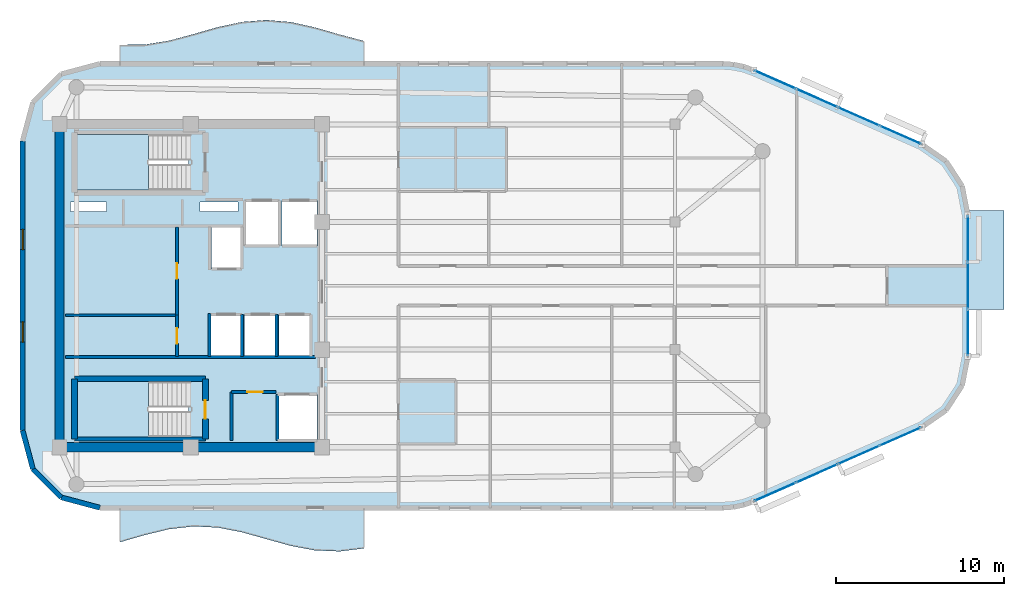
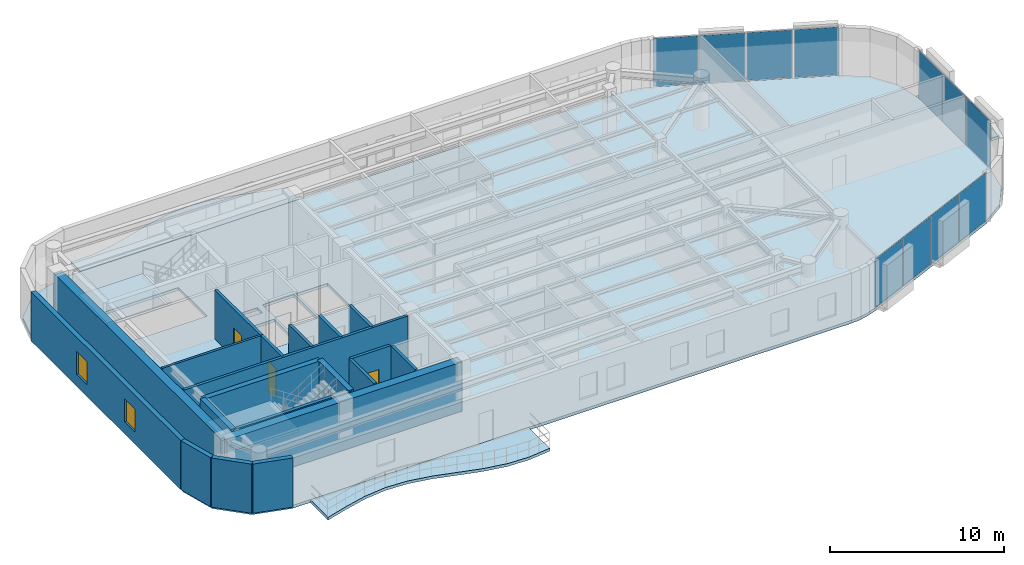
# One storey, part 7 of 14: 20 walls, 11 plates, 6 slabs, 4 doors, 2 windows, 6 openings, 5 elements without a shape of their own.
"""IFC4 building model written with IfcOpenShell, lengths in metres."""

from ifc_helpers import new_model, si_unit, direction, frame, frame_2d, origin, origin_2d, place, context, subcontext, project, spatial, polyline, rectangle, outline, extrude, material, layer, layer_set, type_object, element, fill, aggregate, save


model = new_model("IFC4")

# Units and contexts
model_context = context("Model", 3, precision=1e-05, world=origin(), true_north=direction((0.0, 1.0)))
body_context = subcontext(model_context, "Body", "Model", "MODEL_VIEW")
ifc_project = project(units=[si_unit("LENGTHUNIT", "METRE"), si_unit("AREAUNIT", "SQUARE_METRE"), si_unit("VOLUMEUNIT", "CUBIC_METRE"), si_unit("PLANEANGLEUNIT", "RADIAN"), si_unit("MASSUNIT", "GRAM", prefix="KILO")], contexts=[model_context])

# Site, building, storey
site_placement = place(None, origin())
site = spatial("IfcSite", under=ifc_project, at=site_placement, CompositionType="ELEMENT")
building_placement = place(site_placement, origin())
building = spatial("IfcBuilding", under=site, at=building_placement, Name="An Khanh Terracotta Commons", CompositionType="ELEMENT")
storey_placement = place(building_placement, frame((0.0, 0.0, 280.699951171875)))
storey = spatial("IfcBuildingStorey", under=building, at=storey_placement, Name="L73", CompositionType="ELEMENT", Elevation=280.699951171875)

# Curtain wall, plates
ifc_material_1 = material(Name="Anodised Aluminium 6063-T6", Category="aluminium")
ifc_layer_1 = layer(ifc_material_1, 0.2099609375, Name="Anodised Aluminium 6063-T6")
ifc_layer_set_1 = layer_set([ifc_layer_1], Name="Anodised Aluminium 6063-T6")
curtain_wall_type = type_object("IfcCurtainWallType", Name="CW-SYS-03", PredefinedType="USERDEFINED", material=ifc_layer_set_1)
curtain_wall_1_placement = place(storey_placement, origin())
curtain_wall_1 = element("IfcCurtainWall", 1, at=curtain_wall_1_placement, inside=storey, type_object=curtain_wall_type, Name="L73 CW-03 Unitised Curtain Wall CW-L73-08", ObjectType="UNITISED CURTAIN WALL", PredefinedType="USERDEFINED")
ifc_material_2 = material(Name="Acoustic Laminated Low-E Glazing", Category="glass")
ifc_layer_2 = layer(ifc_material_2, 0.035888671875, Name="Acoustic Laminated Low-E Glazing")
ifc_layer_set_2 = layer_set([ifc_layer_2], Name="Acoustic Laminated Low-E Glazing")
plate_type = type_object("IfcPlateType", Name="CWP-IGU-36", PredefinedType="CURTAIN_PANEL", material=ifc_layer_set_2)
plate_1_placement = place(storey_placement, frame((64.149169921875, 11.748046875, 0.050048828125), z_axis=(0.0, 0.0, 1.0), x_axis=(0.914901853201, 0.403676354285, 0.0)))
plate_1 = element("IfcPlate", 2, at=plate_1_placement, type_object=plate_type, Name="CW-03 panel 1.1", PredefinedType="CURTAIN_PANEL", context=body_context, shape_type="SweptSolid", body=[
    extrude(rectangle(XDim=2.619384765625, YDim=0.035888671875, at=origin_2d()), origin(), (0.0, 0.0, 1.0), 3.35009765625),
])
plate_2_placement = place(storey_placement, frame((66.625732421875, 12.840576171875, 0.050048828125), z_axis=(0.0, 0.0, 1.0), x_axis=(0.914901853201, 0.403676354285, 0.0)))
plate_2 = element("IfcPlate", 3, at=plate_2_placement, type_object=plate_type, Name="CW-03 panel 2.1", PredefinedType="CURTAIN_PANEL", context=body_context, shape_type="SweptSolid", body=[
    extrude(rectangle(XDim=2.654296875, YDim=0.035888671875, at=origin_2d()), origin(), (0.0, 0.0, 1.0), 3.35009765625),
])
plate_3_placement = place(storey_placement, frame((69.1181640625, 13.9404296875, 0.050048828125), z_axis=(0.0, 0.0, 1.0), x_axis=(0.914901853201, 0.403676354285, 0.0)))
plate_3 = element("IfcPlate", 4, at=plate_3_placement, type_object=plate_type, Name="CW-03 panel 3.1", PredefinedType="CURTAIN_PANEL", context=body_context, shape_type="SweptSolid", body=[
    extrude(rectangle(XDim=2.654296875, YDim=0.035888671875, at=origin_2d()), origin(), (0.0, 0.0, 1.0), 3.35009765625),
])
plate_4_placement = place(storey_placement, frame((71.5947265625, 15.032958984375, 0.050048828125), z_axis=(0.0, 0.0, 1.0), x_axis=(0.914901853201, 0.403676354285, 0.0)))
plate_4 = element("IfcPlate", 5, at=plate_4_placement, type_object=plate_type, Name="CW-03 panel 4.1", PredefinedType="CURTAIN_PANEL", context=body_context, shape_type="SweptSolid", body=[
    extrude(rectangle(XDim=2.619384765625, YDim=0.035888671875, at=origin_2d()), origin(), (0.0, 0.0, 1.0), 3.35009765625),
])
aggregate(curtain_wall_1, [plate_1, plate_2, plate_3, plate_4])

curtain_wall_2_placement = place(storey_placement, origin())
curtain_wall_2 = element("IfcCurtainWall", 6, at=curtain_wall_2_placement, inside=storey, type_object=curtain_wall_type, Name="L73 CW-03 Unitised Curtain Wall CW-L73-12", ObjectType="UNITISED CURTAIN WALL", PredefinedType="USERDEFINED")
plate_5_placement = place(storey_placement, frame((75.60009765625, 21.216064453125, 0.050048828125), z_axis=(0.0, 0.0, 1.0), x_axis=(0.0, 1.0, 0.0)))
plate_5 = element("IfcPlate", 7, at=plate_5_placement, type_object=plate_type, Name="CW-03 panel 1.1", PredefinedType="CURTAIN_PANEL", context=body_context, shape_type="SweptSolid", body=[
    extrude(rectangle(XDim=2.6962890625, YDim=0.035888671875, at=origin_2d()), origin(), (0.0, 0.0, 1.0), 3.35009765625),
])
plate_6_placement = place(storey_placement, frame((75.60009765625, 24.0, 0.050048828125), z_axis=(0.0, 0.0, 1.0), x_axis=(0.0, 1.0, 0.0)))
plate_6 = element("IfcPlate", 8, at=plate_6_placement, type_object=plate_type, Name="CW-03 panel 2.1", PredefinedType="CURTAIN_PANEL", context=body_context, shape_type="SweptSolid", body=[
    extrude(rectangle(XDim=2.7314453125, YDim=0.035888671875, at=origin_2d()), origin(), (0.0, 0.0, 1.0), 3.35009765625),
])
plate_7_placement = place(storey_placement, frame((75.60009765625, 26.783935546875, 0.050048828125), z_axis=(0.0, 0.0, 1.0), x_axis=(0.0, 1.0, 0.0)))
plate_7 = element("IfcPlate", 9, at=plate_7_placement, type_object=plate_type, Name="CW-03 panel 3.1", PredefinedType="CURTAIN_PANEL", context=body_context, shape_type="SweptSolid", body=[
    extrude(rectangle(XDim=2.6962890625, YDim=0.035888671875, at=origin_2d()), origin(), (0.0, 0.0, 1.0), 3.35009765625),
])
aggregate(curtain_wall_2, [plate_5, plate_6, plate_7])

curtain_wall_3_placement = place(storey_placement, origin())
curtain_wall_3 = element("IfcCurtainWall", 10, at=curtain_wall_3_placement, inside=storey, type_object=curtain_wall_type, Name="L73 CW-03 Unitised Curtain Wall CW-L73-16", ObjectType="UNITISED CURTAIN WALL", PredefinedType="USERDEFINED")
plate_8_placement = place(storey_placement, frame((71.5947265625, 32.967041015625, 0.050048828125), z_axis=(0.0, 0.0, 1.0), x_axis=(-0.914901853201, 0.403676354285, 0.0)))
plate_8 = element("IfcPlate", 11, at=plate_8_placement, type_object=plate_type, Name="CW-03 panel 1.1", PredefinedType="CURTAIN_PANEL", context=body_context, shape_type="SweptSolid", body=[
    extrude(rectangle(XDim=2.619384765625, YDim=0.035888671875, at=origin_2d()), origin(), (0.0, 0.0, 1.0), 3.35009765625),
])
plate_9_placement = place(storey_placement, frame((69.1181640625, 34.0595703125, 0.050048828125), z_axis=(0.0, 0.0, 1.0), x_axis=(-0.914901853201, 0.403676354285, 0.0)))
plate_9 = element("IfcPlate", 12, at=plate_9_placement, type_object=plate_type, Name="CW-03 panel 2.1", PredefinedType="CURTAIN_PANEL", context=body_context, shape_type="SweptSolid", body=[
    extrude(rectangle(XDim=2.654296875, YDim=0.035888671875, at=origin_2d()), origin(), (0.0, 0.0, 1.0), 3.35009765625),
])
plate_10_placement = place(storey_placement, frame((66.625732421875, 35.159423828125, 0.050048828125), z_axis=(0.0, 0.0, 1.0), x_axis=(-0.914901853201, 0.403676354285, 0.0)))
plate_10 = element("IfcPlate", 13, at=plate_10_placement, type_object=plate_type, Name="CW-03 panel 3.1", PredefinedType="CURTAIN_PANEL", context=body_context, shape_type="SweptSolid", body=[
    extrude(rectangle(XDim=2.654296875, YDim=0.035888671875, at=origin_2d()), origin(), (0.0, 0.0, 1.0), 3.35009765625),
])
plate_11_placement = place(storey_placement, frame((64.149169921875, 36.251953125, 0.050048828125), z_axis=(0.0, 0.0, 1.0), x_axis=(-0.914901853201, 0.403676354285, 0.0)))
plate_11 = element("IfcPlate", 14, at=plate_11_placement, type_object=plate_type, Name="CW-03 panel 4.1", PredefinedType="CURTAIN_PANEL", context=body_context, shape_type="SweptSolid", body=[
    extrude(rectangle(XDim=2.619384765625, YDim=0.035888671875, at=origin_2d()), origin(), (0.0, 0.0, 1.0), 3.35009765625),
])
aggregate(curtain_wall_3, [plate_8, plate_9, plate_10, plate_11])

# Slabs
ifc_material_3 = material(Name="Concrete C40/50", Category="concrete")
ifc_layer_3 = layer(ifc_material_3, 0.199951171875, Name="Concrete C40/50")
ifc_layer_set_3 = layer_set([ifc_layer_3], Name="Concrete C40/50")
slab_type_1 = type_object("IfcSlabType", Name="SLAB-BALC-200", PredefinedType="FLOOR", material=ifc_layer_set_3)
slab_1_placement = place(storey_placement, frame((0.0, 0.0, -0.199951171875)))
element("IfcSlab", 15, at=slab_1_placement, inside=storey, type_object=slab_type_1, Name="L73 S Sinusoidal Wave Balcony Slab", PredefinedType="FLOOR", context=body_context, shape_type="SweptSolid", body=[
    extrude(outline(polyline([(25.199951171875, 10.800048828125), (25.199951171875, 8.756103515625), (26.64990234375, 9.177001953125), (28.10009765625, 9.527099609375), (29.550048828125, 9.694091796875), (31.0, 9.626953125), (32.449951171875, 9.345947265625), (33.89990234375, 8.93994140625), (35.35009765625, 8.537109375), (36.800048828125, 8.264892578125), (38.25, 8.2080078125), (39.699951171875, 8.385986328125), (39.699951171875, 10.800048828125), (25.199951171875, 10.800048828125)])), origin(), (0.0, 0.0, 1.0), 0.199951171875),
])
slab_2_placement = place(storey_placement, frame((0.0, 0.0, -0.199951171875)))
element("IfcSlab", 16, at=slab_2_placement, inside=storey, type_object=slab_type_1, Name="L73 N Sinusoidal Wave Balcony Slab", PredefinedType="FLOOR", context=body_context, shape_type="SweptSolid", body=[
    extrude(outline(polyline([(39.699951171875, 37.199951171875), (39.699951171875, 38.554931640625), (38.25, 38.93798828125), (36.800048828125, 39.35498046875), (35.35009765625, 39.676025390625), (33.89990234375, 39.800048828125), (32.449951171875, 39.68701171875), (31.0, 39.373046875), (29.550048828125, 38.95703125), (28.10009765625, 38.570068359375), (26.64990234375, 38.3349609375), (25.199951171875, 38.325927734375), (25.199951171875, 37.199951171875), (39.699951171875, 37.199951171875)])), origin(), (0.0, 0.0, 1.0), 0.199951171875),
])
ifc_layer_4 = layer(ifc_material_3, 0.22998046875, Name="Concrete C40/50")
ifc_layer_set_4 = layer_set([ifc_layer_4], Name="Concrete C40/50")
slab_type_2 = type_object("IfcSlabType", Name="SLAB-BOXROOF-230", PredefinedType="ROOF", material=ifc_layer_set_4)
slab_3_placement = place(storey_placement, frame((0.0, 0.0, -0.199951171875)))
element("IfcSlab", 17, at=slab_3_placement, inside=storey, type_object=slab_type_2, Name="L73 Shifted Social Kitchen Box Closing Roof Slab (L72)", PredefinedType="ROOF", context=body_context, shape_type="SweptSolid", body=[
    extrude(outline(polyline([(75.60009765625, 22.60009765625), (77.75, 22.60009765625), (77.75, 28.469970703125), (75.60009765625, 28.469970703125), (75.60009765625, 22.60009765625)])), origin(), (0.0, 0.0, 1.0), 0.199951171875),
])

# Stair, slab
ifc_material_4 = material(Name="Precast concrete C40/50", Category="concrete")
stair_type = type_object("IfcStairType", Name="STAIR-CORE-1550", PredefinedType="HALF_TURN_STAIR", material=ifc_material_4)
stair_1_placement = place(storey_placement, origin())
stair_1 = element("IfcStair", 18, at=stair_1_placement, inside=storey, type_object=stair_type, Name="L73 Core Smokeproof Exit Stair ST-01", PredefinedType="HALF_TURN_STAIR")
ifc_layer_5 = layer(ifc_material_3, 0.18994140625, Name="Concrete C40/50")
ifc_layer_set_5 = layer_set([ifc_layer_5], Name="Concrete C40/50")
slab_type_3 = type_object("IfcSlabType", Name="SLAB-LANDING-190", PredefinedType="LANDING", material=ifc_layer_set_5)
slab_4_placement = place(storey_placement, frame((0.0, 0.0, 1.625)))
slab_4 = element("IfcSlab", 19, at=slab_4_placement, type_object=slab_type_3, Name="ST-01 landing 1", PredefinedType="LANDING", context=body_context, shape_type="SweptSolid", body=[
    extrude(outline(polyline([(26.889892578125, 33.0), (22.64990234375, 33.0), (22.64990234375, 29.699951171875), (26.889892578125, 29.699951171875), (26.889892578125, 33.0)])), origin(), (0.0, 0.0, 1.0), 0.199951171875),
])
aggregate(stair_1, [slab_4])

stair_2_placement = place(storey_placement, origin())
stair_2 = element("IfcStair", 20, at=stair_2_placement, inside=storey, type_object=stair_type, Name="L73 Core Smokeproof Exit Stair ST-02", PredefinedType="HALF_TURN_STAIR")
slab_5_placement = place(storey_placement, frame((0.0, 0.0, 1.625)))
slab_5 = element("IfcSlab", 21, at=slab_5_placement, type_object=slab_type_3, Name="ST-02 landing 1", PredefinedType="LANDING", context=body_context, shape_type="SweptSolid", body=[
    extrude(outline(polyline([(26.889892578125, 18.300048828125), (22.64990234375, 18.300048828125), (22.64990234375, 15.0), (26.889892578125, 15.0), (26.889892578125, 18.300048828125)])), origin(), (0.0, 0.0, 1.0), 0.199951171875),
])
aggregate(stair_2, [slab_5])

# Slab
ifc_layer_6 = layer(ifc_material_3, 0.199951171875, Name="Concrete C40/50")
ifc_layer_set_6 = layer_set([ifc_layer_6], Name="Concrete C40/50")
slab_type_4 = type_object("IfcSlabType", Name="SLAB-TYP-200", PredefinedType="FLOOR", material=ifc_layer_set_6)
slab_6_placement = place(storey_placement, frame((0.0, 0.0, -0.199951171875)))
element("IfcSlab", 22, at=slab_6_placement, inside=storey, type_object=slab_type_4, Name="L73 Structural Floor Slab", PredefinedType="FLOOR", context=body_context, shape_type="SweptSolid", body=[
    extrude(outline(polyline([(19.39990234375, 15.39990234375), (20.01611328125, 13.10009765625), (21.699951171875, 11.416015625), (24.0, 10.800048828125), (61.030029296875, 10.800048828125), (61.6650390625, 10.843994140625), (62.2880859375, 10.97509765625), (62.886962890625, 11.19091796875), (72.85693359375, 15.590087890625), (74.302001953125, 16.594970703125), (75.262939453125, 18.070068359375), (75.60009765625, 19.798095703125), (75.60009765625, 28.201904296875), (75.262939453125, 29.929931640625), (74.302001953125, 31.405029296875), (72.85693359375, 32.409912109375), (62.886962890625, 36.80908203125), (62.2880859375, 37.02490234375), (61.6650390625, 37.156005859375), (61.030029296875, 37.199951171875), (24.0, 37.199951171875), (21.699951171875, 36.583984375), (20.01611328125, 34.89990234375), (19.39990234375, 32.60009765625), (19.39990234375, 15.39990234375)]), holes=[polyline([(22.64990234375, 29.699951171875), (29.27001953125, 29.699951171875), (29.27001953125, 33.0), (22.64990234375, 33.0), (22.64990234375, 29.699951171875)]), polyline([(22.64990234375, 15.0), (29.27001953125, 15.0), (29.27001953125, 18.300048828125), (22.64990234375, 18.300048828125), (22.64990234375, 15.0)]), polyline([(32.60009765625, 26.35009765625), (34.679931640625, 26.35009765625), (34.679931640625, 29.080078125), (32.60009765625, 29.080078125), (32.60009765625, 26.35009765625)]), polyline([(34.820068359375, 26.35009765625), (36.89990234375, 26.35009765625), (36.89990234375, 29.080078125), (34.820068359375, 29.080078125), (34.820068359375, 26.35009765625)]), polyline([(34.550048828125, 14.800048828125), (36.89990234375, 14.800048828125), (36.89990234375, 17.550048828125), (34.550048828125, 17.550048828125), (34.550048828125, 14.800048828125)]), polyline([(30.639892578125, 25.0), (32.4599609375, 25.0), (32.4599609375, 27.5), (30.639892578125, 27.5), (30.639892578125, 25.0)]), polyline([(30.56005859375, 19.800048828125), (32.4599609375, 19.800048828125), (32.4599609375, 22.300048828125), (30.56005859375, 22.300048828125), (30.56005859375, 19.800048828125)]), polyline([(32.60009765625, 19.800048828125), (34.5, 19.800048828125), (34.5, 22.300048828125), (32.60009765625, 22.300048828125), (32.60009765625, 19.800048828125)]), polyline([(34.639892578125, 19.800048828125), (36.5400390625, 19.800048828125), (36.5400390625, 22.300048828125), (34.639892578125, 22.300048828125), (34.639892578125, 19.800048828125)]), polyline([(22.25, 28.419921875), (24.39990234375, 28.419921875), (24.39990234375, 28.97998046875), (22.25, 28.97998046875), (22.25, 28.419921875)]), polyline([(29.949951171875, 28.419921875), (32.199951171875, 28.419921875), (32.199951171875, 28.97998046875), (29.949951171875, 28.97998046875), (29.949951171875, 28.419921875)])]), origin(), (0.0, 0.0, 1.0), 0.199951171875),
])

# Walls
ifc_material_5 = material(Name="Concrete C50/60", Category="concrete")
ifc_layer_7 = layer(ifc_material_5, 0.550048828125, Name="Concrete C50/60")
ifc_layer_set_7 = layer_set([ifc_layer_7], Name="Concrete C50/60")
wall_type_1 = type_object("IfcWallType", Name="WALL-CORE-550", PredefinedType="SHEAR", material=ifc_layer_set_7)
wall_1_placement = place(storey_placement, frame((21.60009765625, 14.39990234375, 0.0), z_axis=(0.0, 0.0, 1.0), x_axis=(0.0, 1.0, 0.0)))
element("IfcWall", 23, at=wall_1_placement, inside=storey, type_object=wall_type_1, Name="L73 Core Wall CWALL-L73-W", PredefinedType="SHEAR", context=body_context, shape_type="SweptSolid", body=[
    extrude(rectangle(XDim=19.2001953125, YDim=0.550048828125, at=frame_2d((9.60009765625, 0.0))), origin(), (0.0, 0.0, 1.0), 3.449951171875),
])
wall_2_placement = place(storey_placement, frame((37.199951171875, 14.39990234375, 0.0), z_axis=(0.0, 0.0, 1.0), x_axis=(-1.0, 0.0, 0.0)))
element("IfcWall", 24, at=wall_2_placement, inside=storey, type_object=wall_type_1, Name="L73 Core Wall CWALL-L73-S", PredefinedType="SHEAR", context=body_context, shape_type="SweptSolid", body=[
    extrude(rectangle(XDim=15.599853515625, YDim=0.550048828125, at=frame_2d((7.7998046875, 0.0))), origin(), (0.0, 0.0, 1.0), 3.449951171875),
])
ifc_material_6 = material(Name="Fire-Rated Gypsum Board on Steel Stud", Category="steel")
ifc_layer_8 = layer(ifc_material_6, 0.179931640625, Name="Fire-Rated Gypsum Board on Steel Stud")
ifc_layer_set_8 = layer_set([ifc_layer_8], Name="Fire-Rated Gypsum Board on Steel Stud")
wall_type_2 = type_object("IfcWallType", Name="WALL-CORR-180", PredefinedType="PARTITIONING", material=ifc_layer_set_8)
wall_3_placement = place(storey_placement, frame((21.949951171875, 19.760009765625, 0.0), z_axis=(0.0, 0.0, 1.0), x_axis=(1.0, 0.0, 0.0)))
element("IfcWall", 25, at=wall_3_placement, inside=storey, type_object=wall_type_2, Name="L73 Core Wall SVW-L73-N", PredefinedType="PARTITIONING", context=body_context, shape_type="SweptSolid", body=[
    extrude(rectangle(XDim=14.8701171875, YDim=0.179931640625, at=frame_2d((7.43505859375, 0.0))), origin(), (0.0, 0.0, 1.0), 3.449951171875),
])

# Wall, opening, door
wall_4_placement = place(storey_placement, frame((31.820068359375, 17.679931640625, 0.0), z_axis=(0.0, 0.0, 1.0), x_axis=(1.0, 0.0, 0.0)))
wall_4 = element("IfcWall", 26, at=wall_4_placement, inside=storey, type_object=wall_type_2, Name="L73 Core Wall SSVCW-L73-N", PredefinedType="PARTITIONING", context=body_context, shape_type="SweptSolid", body=[
    extrude(rectangle(XDim=2.659912109375, YDim=0.179931640625, at=frame_2d((1.330078125, 0.0))), origin(), (0.0, 0.0, 1.0), 3.449951171875),
])
opening_1_placement = place(wall_4_placement, frame((0.949951171875, 0.0, 0.0)))
opening_1 = element("IfcOpeningElement", 27, at=opening_1_placement, cuts=wall_4, Name="Opening D-SV", PredefinedType="OPENING", context=body_context, shape_type="SweptSolid", body=[
    extrude(rectangle(XDim=0.89990234375, YDim=2.050048828125, at=frame_2d((0.449951171875, 1.02490234375))), frame((0.0, 0.099853515625, 0.0), z_axis=(0.0, -1.0, 0.0), x_axis=(1.0, 0.0, 0.0)), (0.0, 0.0, 1.0), 0.199951171875),
])
ifc_material_7 = material(Name="Fire-Rated Powder-Coated Steel Door", Category="steel")
door_type_1 = type_object("IfcDoorType", Name="DOOR-SERV-900", OperationType="NOTDEFINED", PredefinedType="DOOR", material=ifc_material_7)
door_1_placement = place(opening_1_placement, origin())
door_1 = element("IfcDoor", 28, at=door_1_placement, inside=storey, type_object=door_type_1, Name="L73 Core Housekeeping Store Door", OperationType="SINGLE_SWING_RIGHT", OverallHeight=2.050048828125, OverallWidth=0.89990234375, PredefinedType="DOOR", context=body_context, shape_type="SweptSolid", body=[
    extrude(rectangle(XDim=0.89990234375, YDim=2.050048828125, at=frame_2d((0.449951171875, 1.02490234375))), frame((0.0, 0.02490234375, 0.0), z_axis=(0.0, -1.0, 0.0), x_axis=(1.0, 0.0, 0.0)), (0.0, 0.0, 1.0), 0.050048828125),
])
fill(opening_1, door_1)

# Walls
wall_5_placement = place(storey_placement, frame((31.820068359375, 14.800048828125, 0.0), z_axis=(0.0, 0.0, 1.0), x_axis=(0.0, 1.0, 0.0)))
element("IfcWall", 29, at=wall_5_placement, inside=storey, type_object=wall_type_2, Name="L73 Core Wall SSVCW-L73-W", PredefinedType="PARTITIONING", context=body_context, shape_type="SweptSolid", body=[
    extrude(rectangle(XDim=2.8798828125, YDim=0.179931640625, at=frame_2d((1.43994140625, 0.0))), origin(), (0.0, 0.0, 1.0), 3.449951171875),
])
wall_6_placement = place(storey_placement, frame((34.550048828125, 17.550048828125, 0.0), z_axis=(0.0, 0.0, 1.0), x_axis=(0.0, -1.0, 0.0)))
element("IfcWall", 30, at=wall_6_placement, inside=storey, type_object=wall_type_2, Name="L73 Core Wall LSH-L73-SVL-01-W", PredefinedType="PARTITIONING", context=body_context, shape_type="SweptSolid", body=[
    extrude(rectangle(XDim=2.75, YDim=0.179931640625, at=frame_2d((1.375, 0.0))), origin(), (0.0, 0.0, 1.0), 3.449951171875),
])
for number, where, z_axis, x_axis, name in (
    (31, (32.4599609375, 19.800048828125, 0.0), (0.0, 0.0, 1.0), (0.0, 1.0, 0.0), "L73 Core Wall LSH-L73-PL-H2-E"),
    (32, (34.5, 19.800048828125, 0.0), (0.0, 0.0, 1.0), (0.0, 1.0, 0.0), "L73 Core Wall LSH-L73-PL-H3-E"),
):
    element("IfcWall", number, at=place(storey_placement, frame(where, z_axis=z_axis, x_axis=x_axis)), inside=storey, type_object=wall_type_2, Name=name, PredefinedType="PARTITIONING", context=body_context, shape_type="SweptSolid", body=[
        extrude(rectangle(XDim=2.5, YDim=0.179931640625, at=frame_2d((1.25, 0.0))), origin(), (0.0, 0.0, 1.0), 3.449951171875),
    ])
wall_7_placement = place(storey_placement, frame((30.52001953125, 19.800048828125, 0.0), z_axis=(0.0, 0.0, 1.0), x_axis=(0.0, 1.0, 0.0)))
element("IfcWall", 33, at=wall_7_placement, inside=storey, type_object=wall_type_2, Name="L73 Core Wall RECW-L73-BE2", PredefinedType="PARTITIONING", context=body_context, shape_type="SweptSolid", body=[
    extrude(rectangle(XDim=2.550048828125, YDim=0.179931640625, at=frame_2d((1.27490234375, 0.0))), origin(), (0.0, 0.0, 1.0), 3.449951171875),
])

# Wall, opening, door
wall_8_placement = place(storey_placement, frame((28.580078125, 22.25, 0.0), z_axis=(0.0, 0.0, 1.0), x_axis=(0.0, 1.0, 0.0)))
wall_8 = element("IfcWall", 34, at=wall_8_placement, inside=storey, type_object=wall_type_2, Name="L73 Core Wall RECW-L73-E1", PredefinedType="PARTITIONING", context=body_context, shape_type="SweptSolid", body=[
    extrude(rectangle(XDim=5.25, YDim=0.179931640625, at=frame_2d((2.625, 0.0))), origin(), (0.0, 0.0, 1.0), 3.449951171875),
])
opening_2_placement = place(wall_8_placement, frame((2.1650390625, 0.0, 0.0)))
opening_2 = element("IfcOpeningElement", 35, at=opening_2_placement, cuts=wall_8, Name="Opening D-RM", PredefinedType="OPENING", context=body_context, shape_type="SweptSolid", body=[
    extrude(rectangle(XDim=0.919921875, YDim=2.10009765625, at=frame_2d((0.4599609375, 1.050048828125))), frame((0.0, 0.099853515625, 0.0), z_axis=(0.0, -1.0, 0.0), x_axis=(1.0, 0.0, 0.0)), (0.0, 0.0, 1.0), 0.199951171875),
])
ifc_material_8 = material(Name="Engineered Hardwood Timber Leaf", Category="wood")
door_type_2 = type_object("IfcDoorType", Name="DOOR-INT-920", OperationType="NOTDEFINED", PredefinedType="DOOR", material=ifc_material_8)
door_2_placement = place(opening_2_placement, origin())
door_2 = element("IfcDoor", 36, at=door_2_placement, inside=storey, type_object=door_type_2, Name="L73 Quiet Fellowship Study Room Door", OperationType="SINGLE_SWING_LEFT", OverallHeight=2.10009765625, OverallWidth=0.919921875, PredefinedType="DOOR", context=body_context, shape_type="SweptSolid", body=[
    extrude(rectangle(XDim=0.919921875, YDim=2.10009765625, at=frame_2d((0.4599609375, 1.050048828125))), frame((0.0, 0.02490234375, 0.0), z_axis=(0.0, -1.0, 0.0), x_axis=(1.0, 0.0, 0.0)), (0.0, 0.0, 1.0), 0.050048828125),
])
fill(opening_2, door_2)

wall_9_placement = place(storey_placement, frame((28.580078125, 19.800048828125, 0.0), z_axis=(0.0, 0.0, 1.0), x_axis=(0.0, 1.0, 0.0)))
wall_9 = element("IfcWall", 37, at=wall_9_placement, inside=storey, type_object=wall_type_2, Name="L73 Core Wall RECW-L73-E2", PredefinedType="PARTITIONING", context=body_context, shape_type="SweptSolid", body=[
    extrude(rectangle(XDim=2.449951171875, YDim=0.179931640625, at=frame_2d((1.22509765625, 0.0))), origin(), (0.0, 0.0, 1.0), 3.449951171875),
])
opening_3_placement = place(wall_9_placement, frame((0.764892578125, 0.0, 0.0)))
opening_3 = element("IfcOpeningElement", 38, at=opening_3_placement, cuts=wall_9, Name="Opening D-RM", PredefinedType="OPENING", context=body_context, shape_type="SweptSolid", body=[
    extrude(rectangle(XDim=0.919921875, YDim=2.10009765625, at=frame_2d((0.4599609375, 1.050048828125))), frame((0.0, 0.099853515625, 0.0), z_axis=(0.0, -1.0, 0.0), x_axis=(1.0, 0.0, 0.0)), (0.0, 0.0, 1.0), 0.199951171875),
])
door_3_placement = place(opening_3_placement, origin())
door_3 = element("IfcDoor", 39, at=door_3_placement, inside=storey, type_object=door_type_2, Name="L73 Floor Pantry and Ice Room Door", OperationType="SINGLE_SWING_RIGHT", OverallHeight=2.10009765625, OverallWidth=0.919921875, PredefinedType="DOOR", context=body_context, shape_type="SweptSolid", body=[
    extrude(rectangle(XDim=0.919921875, YDim=2.10009765625, at=frame_2d((0.4599609375, 1.050048828125))), frame((0.0, 0.02490234375, 0.0), z_axis=(0.0, -1.0, 0.0), x_axis=(1.0, 0.0, 0.0)), (0.0, 0.0, 1.0), 0.050048828125),
])
fill(opening_3, door_3)

# Walls
ifc_layer_9 = layer(ifc_material_4, 0.300048828125, Name="Precast concrete C40/50")
ifc_layer_set_9 = layer_set([ifc_layer_9], Name="Precast concrete C40/50")
wall_type_3 = type_object("IfcWallType", Name="WALL-EXT-300", PredefinedType="SOLIDWALL", material=ifc_layer_set_9)
wall_10_placement = place(storey_placement, frame((19.39990234375, 15.39990234375, 0.0), z_axis=(0.0, 0.0, 1.0), x_axis=(0.258811258154, -0.965927912762, 0.0)))
element("IfcWall", 40, at=wall_10_placement, inside=storey, type_object=wall_type_3, Name="L73 Insulated Terracotta Exterior Wall 1", PredefinedType="SOLIDWALL", context=body_context, shape_type="SweptSolid", body=[
    extrude(rectangle(XDim=2.380859375, YDim=0.300048828125, at=frame_2d((1.1904296875, 0.0))), origin(), (0.0, 0.0, 1.0), 3.449951171875),
])
wall_11_placement = place(storey_placement, frame((20.01611328125, 13.10009765625, 0.0), z_axis=(0.0, 0.0, 1.0), x_axis=(0.707055521135, -0.707158037522, 0.0)))
element("IfcWall", 41, at=wall_11_placement, inside=storey, type_object=wall_type_3, Name="L73 Insulated Terracotta Exterior Wall 2", PredefinedType="SOLIDWALL", context=body_context, shape_type="SweptSolid", body=[
    extrude(rectangle(XDim=2.381591796875, YDim=0.300048828125, at=frame_2d((1.19091796875, 0.0))), origin(), (0.0, 0.0, 1.0), 3.449951171875),
])
wall_12_placement = place(storey_placement, frame((21.699951171875, 11.416015625, 0.0), z_axis=(0.0, 0.0, 1.0), x_axis=(0.965960405575, -0.25868995895, 0.0)))
element("IfcWall", 42, at=wall_12_placement, inside=storey, type_object=wall_type_3, Name="L73 Insulated Terracotta Exterior Wall 3", PredefinedType="SOLIDWALL", context=body_context, shape_type="SweptSolid", body=[
    extrude(rectangle(XDim=2.381103515625, YDim=0.300048828125, at=frame_2d((1.1904296875, 0.0))), origin(), (0.0, 0.0, 1.0), 3.449951171875),
])

# Wall, openings, windows
wall_13_placement = place(storey_placement, frame((19.39990234375, 32.60009765625, 0.0), z_axis=(0.0, 0.0, 1.0), x_axis=(0.0, -1.0, 0.0)))
wall_13 = element("IfcWall", 43, at=wall_13_placement, inside=storey, type_object=wall_type_3, Name="L73 Insulated Terracotta Exterior Wall 24", PredefinedType="SOLIDWALL", context=body_context, shape_type="SweptSolid", body=[
    extrude(rectangle(XDim=17.2001953125, YDim=0.300048828125, at=frame_2d((8.60009765625, 0.0))), origin(), (0.0, 0.0, 1.0), 3.449951171875),
])
opening_4_placement = place(wall_13_placement, frame((5.25, 0.0, 0.85009765625)))
opening_4 = element("IfcOpeningElement", 44, at=opening_4_placement, cuts=wall_13, Name="Opening W-05", PredefinedType="OPENING", context=body_context, shape_type="SweptSolid", body=[
    extrude(rectangle(XDim=1.199951171875, YDim=1.60009765625, at=frame_2d((0.60009765625, 0.800048828125))), frame((0.0, 0.159912109375, 0.0), z_axis=(0.0, -1.0, 0.0), x_axis=(1.0, 0.0, 0.0)), (0.0, 0.0, 1.0), 0.320068359375),
])
opening_5_placement = place(wall_13_placement, frame((10.75, 0.0, 0.85009765625)))
opening_5 = element("IfcOpeningElement", 45, at=opening_5_placement, cuts=wall_13, Name="Opening W-05", PredefinedType="OPENING", context=body_context, shape_type="SweptSolid", body=[
    extrude(rectangle(XDim=1.199951171875, YDim=1.60009765625, at=frame_2d((0.60009765625, 0.800048828125))), frame((0.0, 0.159912109375, 0.0), z_axis=(0.0, -1.0, 0.0), x_axis=(1.0, 0.0, 0.0)), (0.0, 0.0, 1.0), 0.320068359375),
])
ifc_material_9 = material(Name="Thermally Broken Aluminium and Low-E Glass", Category="aluminium")
window_type = type_object("IfcWindowType", Name="WIN-Z5-1200x1600", PartitioningType="SINGLE_PANEL", PredefinedType="WINDOW", material=ifc_material_9)
window_1_placement = place(opening_4_placement, origin())
window_1 = element("IfcWindow", 46, at=window_1_placement, inside=storey, type_object=window_type, Name="L73 Operable Casement Window 24.1", OverallHeight=1.60009765625, OverallWidth=1.199951171875, PartitioningType="SINGLE_PANEL", PredefinedType="WINDOW", context=body_context, shape_type="SweptSolid", body=[
    extrude(rectangle(XDim=1.199951171875, YDim=1.60009765625, at=frame_2d((0.60009765625, 0.800048828125))), frame((0.0, 0.030029296875, 0.0), z_axis=(0.0, -1.0, 0.0), x_axis=(1.0, 0.0, 0.0)), (0.0, 0.0, 1.0), 0.06005859375),
])
fill(opening_4, window_1)
window_2_placement = place(opening_5_placement, origin())
window_2 = element("IfcWindow", 47, at=window_2_placement, inside=storey, type_object=window_type, Name="L73 Operable Casement Window 24.2", OverallHeight=1.60009765625, OverallWidth=1.199951171875, PartitioningType="SINGLE_PANEL", PredefinedType="WINDOW", context=body_context, shape_type="SweptSolid", body=[
    extrude(rectangle(XDim=1.199951171875, YDim=1.60009765625, at=frame_2d((0.60009765625, 0.800048828125))), frame((0.0, 0.030029296875, 0.0), z_axis=(0.0, -1.0, 0.0), x_axis=(1.0, 0.0, 0.0)), (0.0, 0.0, 1.0), 0.06005859375),
])
fill(opening_5, window_2)

# Walls
ifc_material_10 = material(Name="Acoustic Gypsum Board Partition")
ifc_layer_10 = layer(ifc_material_10, 0.14990234375, Name="Acoustic Gypsum Board Partition")
ifc_layer_set_10 = layer_set([ifc_layer_10], Name="Acoustic Gypsum Board Partition")
wall_type_4 = type_object("IfcWallType", Name="WALL-PART-150", PredefinedType="PARTITIONING", material=ifc_layer_set_10)
wall_14_placement = place(storey_placement, frame((21.949951171875, 22.25, 0.0), z_axis=(0.0, 0.0, 1.0), x_axis=(1.0, 0.0, 0.0)))
element("IfcWall", 48, at=wall_14_placement, inside=storey, type_object=wall_type_4, Name="L73 Core Wall RECW-L73-M", PredefinedType="PARTITIONING", context=body_context, shape_type="SweptSolid", body=[
    extrude(rectangle(XDim=6.630126953125, YDim=0.14990234375, at=frame_2d((3.31494140625, 0.0))), origin(), (0.0, 0.0, 1.0), 3.449951171875),
])
ifc_material_11 = material(Name="Acoustic Double-Stud Gypsum and Mineral Wool")
ifc_layer_11 = layer(ifc_material_11, 0.219970703125, Name="Acoustic Double-Stud Gypsum and Mineral Wool")
ifc_layer_set_11 = layer_set([ifc_layer_11], Name="Acoustic Double-Stud Gypsum and Mineral Wool")
wall_type_5 = type_object("IfcWallType", Name="WALL-PARTY-220", PredefinedType="PARTITIONING", material=ifc_layer_set_11)
wall_15_placement = place(storey_placement, frame((22.47998046875, 14.889892578125, 0.0), z_axis=(0.0, 0.0, 1.0), x_axis=(1.0, 0.0, 0.0)))
element("IfcWall", 49, at=wall_15_placement, inside=storey, type_object=wall_type_5, Name="L73 Core Wall STW-L73-S-S", PredefinedType="PARTITIONING", context=body_context, shape_type="SweptSolid", body=[
    extrude(rectangle(XDim=7.7900390625, YDim=0.219970703125, at=frame_2d((3.89501953125, 0.0))), origin(), (0.0, 0.0, 1.0), 3.449951171875),
])
ifc_layer_12 = layer(ifc_material_5, 0.35009765625, Name="Concrete C50/60")
ifc_layer_set_12 = layer_set([ifc_layer_12], Name="Concrete C50/60")
wall_type_6 = type_object("IfcWallType", Name="WALL-SHAFT-350", PredefinedType="SOLIDWALL", material=ifc_layer_set_12)
wall_16_placement = place(storey_placement, frame((22.47998046875, 18.469970703125, 0.0), z_axis=(0.0, 0.0, 1.0), x_axis=(1.0, 0.0, 0.0)))
element("IfcWall", 50, at=wall_16_placement, inside=storey, type_object=wall_type_6, Name="L73 Core Wall STW-L73-S-N", PredefinedType="SOLIDWALL", context=body_context, shape_type="SweptSolid", body=[
    extrude(rectangle(XDim=7.7900390625, YDim=0.35009765625, at=frame_2d((3.89501953125, 0.0))), origin(), (0.0, 0.0, 1.0), 3.449951171875),
])
wall_17_placement = place(storey_placement, frame((22.47998046875, 14.889892578125, 0.0), z_axis=(0.0, 0.0, 1.0), x_axis=(0.0, 1.0, 0.0)))
element("IfcWall", 51, at=wall_17_placement, inside=storey, type_object=wall_type_6, Name="L73 Core Wall STW-L73-S-W", PredefinedType="SOLIDWALL", context=body_context, shape_type="SweptSolid", body=[
    extrude(rectangle(XDim=3.580078125, YDim=0.35009765625, at=frame_2d((1.7900390625, 0.0))), origin(), (0.0, 0.0, 1.0), 3.449951171875),
])

# Wall, opening, door
wall_18_placement = place(storey_placement, frame((30.27001953125, 14.889892578125, 0.0), z_axis=(0.0, 0.0, 1.0), x_axis=(0.0, 1.0, 0.0)))
wall_18 = element("IfcWall", 52, at=wall_18_placement, inside=storey, type_object=wall_type_6, Name="L73 Core Wall STW-L73-S-E", PredefinedType="SOLIDWALL", context=body_context, shape_type="SweptSolid", body=[
    extrude(rectangle(XDim=3.580078125, YDim=0.35009765625, at=frame_2d((1.7900390625, 0.0))), origin(), (0.0, 0.0, 1.0), 3.449951171875),
])
opening_6_placement = place(wall_18_placement, frame((1.18994140625, 0.0, 0.0)))
opening_6 = element("IfcOpeningElement", 53, at=opening_6_placement, cuts=wall_18, Name="Opening D-ST", PredefinedType="OPENING", context=body_context, shape_type="SweptSolid", body=[
    extrude(rectangle(XDim=1.10009765625, YDim=2.14990234375, at=frame_2d((0.550048828125, 1.074951171875))), frame((0.0, 0.18505859375, 0.0), z_axis=(0.0, -1.0, 0.0), x_axis=(1.0, 0.0, 0.0)), (0.0, 0.0, 1.0), 0.3701171875),
])
ifc_material_12 = material(Name="Fire-Rated Steel Leaf and Frame", Category="steel")
door_type_3 = type_object("IfcDoorType", Name="DOOR-STAIR-1100", OperationType="NOTDEFINED", PredefinedType="DOOR", material=ifc_material_12)
door_4_placement = place(opening_6_placement, origin())
door_4 = element("IfcDoor", 54, at=door_4_placement, inside=storey, type_object=door_type_3, Name="L73 Stair ST-02 Fire Door", OperationType="SINGLE_SWING_LEFT", OverallHeight=2.14990234375, OverallWidth=1.10009765625, PredefinedType="DOOR", context=body_context, shape_type="SweptSolid", body=[
    extrude(rectangle(XDim=1.10009765625, YDim=2.14990234375, at=frame_2d((0.550048828125, 1.074951171875))), frame((0.0, 0.02490234375, 0.0), z_axis=(0.0, -1.0, 0.0), x_axis=(1.0, 0.0, 0.0)), (0.0, 0.0, 1.0), 0.050048828125),
])
fill(opening_6, door_4)

save(model, "model.ifc")
